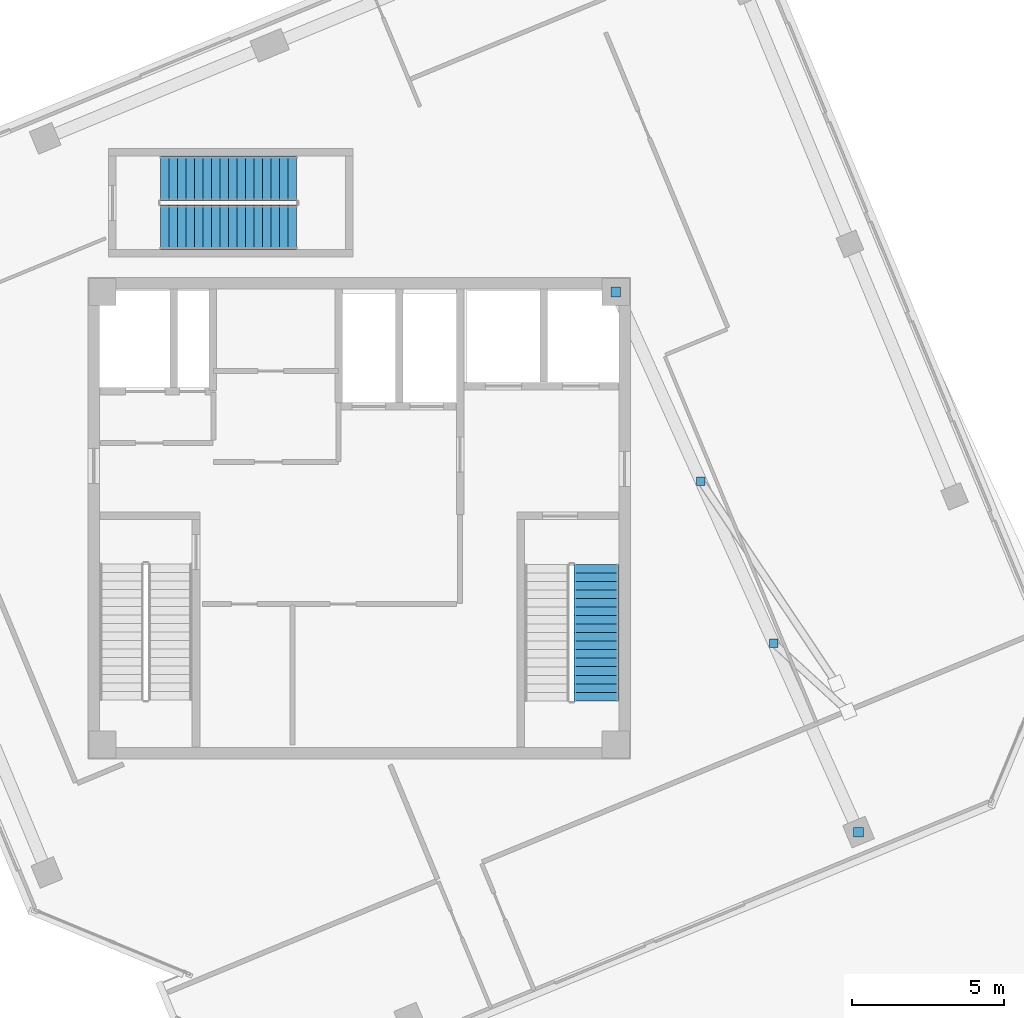
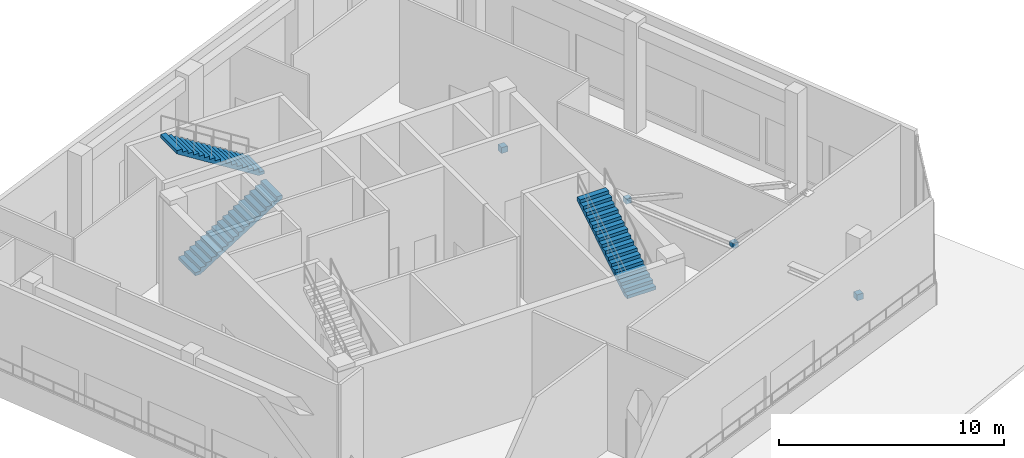
# One storey, part 10 of 16: 4 discrete accessories, 3 stair flights, 2 elements without a shape of their own.
"""IFC4 building model written with IfcOpenShell, lengths in metres."""

from ifc_helpers import new_model, si_unit, direction, frame, origin, origin_2d, place, context, subcontext, project, spatial, polyline, rectangle, outline, extrude, source, transform, mapped, material, type_object, element, aggregate, save


model = new_model("IFC4")

# Units and contexts
model_context = context("Model", 3, precision=1e-05, world=origin(), true_north=direction((0.0, 1.0)))
body_context = subcontext(model_context, "Body", "Model", "MODEL_VIEW")
ifc_project = project(units=[si_unit("LENGTHUNIT", "METRE"), si_unit("AREAUNIT", "SQUARE_METRE"), si_unit("VOLUMEUNIT", "CUBIC_METRE"), si_unit("PLANEANGLEUNIT", "RADIAN"), si_unit("MASSUNIT", "GRAM", prefix="KILO")], contexts=[model_context])

# Site, building, storey
site_placement = place(None, origin())
site = spatial("IfcSite", under=ifc_project, at=site_placement, CompositionType="ELEMENT")
building_placement = place(site_placement, origin())
building = spatial("IfcBuilding", under=site, at=building_placement, Name="Torre Montelarca", CompositionType="ELEMENT")
storey_placement = place(building_placement, frame((0.0, 0.0, 349.199951171875)))
storey = spatial("IfcBuildingStorey", under=building, at=storey_placement, Name="L79", CompositionType="ELEMENT", Elevation=349.199951171875)

# Stair, stair flight
ifc_material_1 = material(Name="Concrete C40/50", Category="concrete")
stair_type_1 = type_object("IfcStairType", Name="ST-CORE-ST2", PredefinedType="HALF_TURN_STAIR", material=ifc_material_1)
stair_1_placement = place(storey_placement, origin())
stair_1 = element("IfcStair", 1, at=stair_1_placement, inside=storey, type_object=stair_type_1, Name="L79 Protected Exit Stair ST2", PredefinedType="HALF_TURN_STAIR")
stair_flight_type_1 = type_object("IfcStairFlightType", Name="SFL-CORE-ST2", PredefinedType="STRAIGHT", material=ifc_material_1)
stair_flight_1_placement = place(storey_placement, frame((25.81005859375, 25.989990234375, 3.0), z_axis=(0.0, 0.0, 1.0), x_axis=(0.0, 1.0, 0.0)))
stair_flight_1 = element("IfcStairFlight", 2, at=stair_flight_1_placement, type_object=stair_flight_type_1, Name="ST2 flight 2", NumberOfRisers=17, NumberOfTreads=16, PredefinedType="STRAIGHT", RiserHeight=0.176470588, TreadLength=0.28, context=body_context, shape_type="SweptSolid", body=[
    extrude(outline(polyline([(0.0, 0.0), (0.0, 0.176513671875), (0.280029296875, 0.176513671875), (0.280029296875, 0.35302734375), (0.56005859375, 0.35302734375), (0.56005859375, 0.529296875), (0.840087890625, 0.529296875), (0.840087890625, 0.705810546875), (1.1201171875, 0.705810546875), (1.1201171875, 0.88232421875), (1.39990234375, 0.88232421875), (1.39990234375, 1.058837890625), (1.679931640625, 1.058837890625), (1.679931640625, 1.2353515625), (1.9599609375, 1.2353515625), (1.9599609375, 1.411865234375), (2.239990234375, 1.411865234375), (2.239990234375, 1.588134765625), (2.52001953125, 1.588134765625), (2.52001953125, 1.7646484375), (2.800048828125, 1.7646484375), (2.800048828125, 1.941162109375), (3.080078125, 1.941162109375), (3.080078125, 2.11767578125), (3.360107421875, 2.11767578125), (3.360107421875, 2.294189453125), (3.639892578125, 2.294189453125), (3.639892578125, 2.470703125), (3.919921875, 2.470703125), (3.919921875, 2.64697265625), (4.199951171875, 2.64697265625), (4.199951171875, 2.823486328125), (4.47998046875, 2.823486328125), (4.47998046875, 3.0), (4.47998046875, 2.646240234375), (0.28125, 0.0), (0.0, 0.0)])), frame((0.0, 0.739990234375, 0.0), z_axis=(0.0, -1.0, 0.0), x_axis=(1.0, 0.0, 0.0)), (0.0, 0.0, 1.0), 1.47998046875),
])
aggregate(stair_1, [stair_flight_1])

# Stair, stair flights
stair_type_2 = type_object("IfcStairType", Name="ST-CORE-ST5", PredefinedType="HALF_TURN_STAIR", material=ifc_material_1)
stair_2_placement = place(storey_placement, origin())
stair_2 = element("IfcStair", 3, at=stair_2_placement, inside=storey, type_object=stair_type_2, Name="L79 Crown Observatory Feature Stair ST5", PredefinedType="HALF_TURN_STAIR")
stair_flight_type_2 = type_object("IfcStairFlightType", Name="SFL-CORE-ST5", PredefinedType="STRAIGHT", material=ifc_material_1)
stair_flight_2_placement = place(storey_placement, frame((11.4599609375, 41.580078125, 0.0), z_axis=(0.0, 0.0, 1.0), x_axis=(1.0, 0.0, 0.0)))
stair_flight_2 = element("IfcStairFlight", 4, at=stair_flight_2_placement, type_object=stair_flight_type_2, Name="ST5 flight 1", NumberOfRisers=17, NumberOfTreads=16, PredefinedType="STRAIGHT", RiserHeight=0.176470588, TreadLength=0.28, context=body_context, shape_type="SweptSolid", body=[
    extrude(outline(polyline([(0.0, 0.0), (0.0, 0.176513671875), (0.280029296875, 0.176513671875), (0.280029296875, 0.35302734375), (0.56005859375, 0.35302734375), (0.56005859375, 0.529296875), (0.840087890625, 0.529296875), (0.840087890625, 0.705810546875), (1.1201171875, 0.705810546875), (1.1201171875, 0.88232421875), (1.39990234375, 0.88232421875), (1.39990234375, 1.058837890625), (1.679931640625, 1.058837890625), (1.679931640625, 1.2353515625), (1.9599609375, 1.2353515625), (1.9599609375, 1.411865234375), (2.239990234375, 1.411865234375), (2.239990234375, 1.588134765625), (2.52001953125, 1.588134765625), (2.52001953125, 1.7646484375), (2.800048828125, 1.7646484375), (2.800048828125, 1.941162109375), (3.080078125, 1.941162109375), (3.080078125, 2.11767578125), (3.360107421875, 2.11767578125), (3.360107421875, 2.294189453125), (3.639892578125, 2.294189453125), (3.639892578125, 2.470703125), (3.919921875, 2.470703125), (3.919921875, 2.64697265625), (4.199951171875, 2.64697265625), (4.199951171875, 2.823486328125), (4.47998046875, 2.823486328125), (4.47998046875, 3.0), (4.47998046875, 2.646240234375), (0.28125, 0.0), (0.0, 0.0)])), frame((0.0, 0.72998046875, 0.0), z_axis=(0.0, -1.0, 0.0), x_axis=(1.0, 0.0, 0.0)), (0.0, 0.0, 1.0), 1.4599609375),
])
stair_flight_3_placement = place(storey_placement, frame((15.93994140625, 43.18994140625, 3.0), z_axis=(0.0, 0.0, 1.0), x_axis=(-1.0, 0.0, 0.0)))
stair_flight_3 = element("IfcStairFlight", 5, at=stair_flight_3_placement, type_object=stair_flight_type_2, Name="ST5 flight 2", NumberOfRisers=17, NumberOfTreads=16, PredefinedType="STRAIGHT", RiserHeight=0.176470588, TreadLength=0.28, context=body_context, shape_type="SweptSolid", body=[
    extrude(outline(polyline([(0.0, 0.0), (0.0, 0.176513671875), (0.280029296875, 0.176513671875), (0.280029296875, 0.35302734375), (0.56005859375, 0.35302734375), (0.56005859375, 0.529296875), (0.840087890625, 0.529296875), (0.840087890625, 0.705810546875), (1.1201171875, 0.705810546875), (1.1201171875, 0.88232421875), (1.39990234375, 0.88232421875), (1.39990234375, 1.058837890625), (1.679931640625, 1.058837890625), (1.679931640625, 1.2353515625), (1.9599609375, 1.2353515625), (1.9599609375, 1.411865234375), (2.239990234375, 1.411865234375), (2.239990234375, 1.588134765625), (2.52001953125, 1.588134765625), (2.52001953125, 1.7646484375), (2.800048828125, 1.7646484375), (2.800048828125, 1.941162109375), (3.080078125, 1.941162109375), (3.080078125, 2.11767578125), (3.360107421875, 2.11767578125), (3.360107421875, 2.294189453125), (3.639892578125, 2.294189453125), (3.639892578125, 2.470703125), (3.919921875, 2.470703125), (3.919921875, 2.64697265625), (4.199951171875, 2.64697265625), (4.199951171875, 2.823486328125), (4.47998046875, 2.823486328125), (4.47998046875, 3.0), (4.47998046875, 2.646240234375), (0.28125, 0.0), (0.0, 0.0)])), frame((0.0, 0.72998046875, 0.0), z_axis=(0.0, -1.0, 0.0), x_axis=(1.0, 0.0, 0.0)), (0.0, 0.0, 1.0), 1.4599609375),
])
aggregate(stair_2, [stair_flight_2, stair_flight_3])

# Discrete accessories
ifc_material_2 = material(Name="Stainless steel AISI 316", Category="steel")
discrete_accessory_type = type_object("IfcDiscreteAccessoryType", Name="ACC-BRACKET-SS", PredefinedType="BRACKET", material=ifc_material_2)
shared_shape_1 = source(origin(), body_context, "Body", "SweptSolid", [
    extrude(rectangle(XDim=0.280029296875, YDim=0.280029296875, at=origin_2d()), origin(), (0.0, 0.0, 1.0), 0.280029296875),
])
for number, where, z_axis, x_axis, name in (
    (6, (29.24658203125, 33.225341796875, 2.41015625), (0.0, 0.0, 1.0), (1.0, 0.0, 0.0), "L79 TMD Strut Base Bracket 1"),
    (7, (31.643310546875, 27.889892578125, 2.41015625), (0.0, 0.0, 1.0), (1.0, 0.0, 0.0), "L79 TMD Strut Base Bracket 2"),
):
    element("IfcDiscreteAccessory", number, at=place(storey_placement, frame(where, z_axis=z_axis, x_axis=x_axis)), inside=storey, type_object=discrete_accessory_type, Name=name, PredefinedType="BRACKET", context=body_context, shape_type="MappedRepresentation", body=[
        mapped(shared_shape_1, transform((0.0, 0.0, 0.0), scale=1.0)),
    ])
shared_shape_2 = source(origin(), body_context, "Body", "SweptSolid", [
    extrude(rectangle(XDim=0.320068359375, YDim=0.320068359375, at=origin_2d()), origin(), (0.0, 0.0, 1.0), 0.320068359375),
])
for number, where, z_axis, x_axis, name in (
    (8, (26.449951171875, 39.449951171875, 2.39013671875), (0.0, 0.0, 1.0), (1.0, 0.0, 0.0), "L79 TMD Support Chord End Bracket C"),
    (9, (34.43994140625, 21.665283203125, 2.39013671875), (0.0, 0.0, 1.0), (1.0, 0.0, 0.0), "L79 TMD Support Chord End Bracket W"),
):
    element("IfcDiscreteAccessory", number, at=place(storey_placement, frame(where, z_axis=z_axis, x_axis=x_axis)), inside=storey, type_object=discrete_accessory_type, Name=name, PredefinedType="BRACKET", context=body_context, shape_type="MappedRepresentation", body=[
        mapped(shared_shape_2, transform((0.0, 0.0, 0.0), scale=1.0)),
    ])

save(model, "model.ifc")
